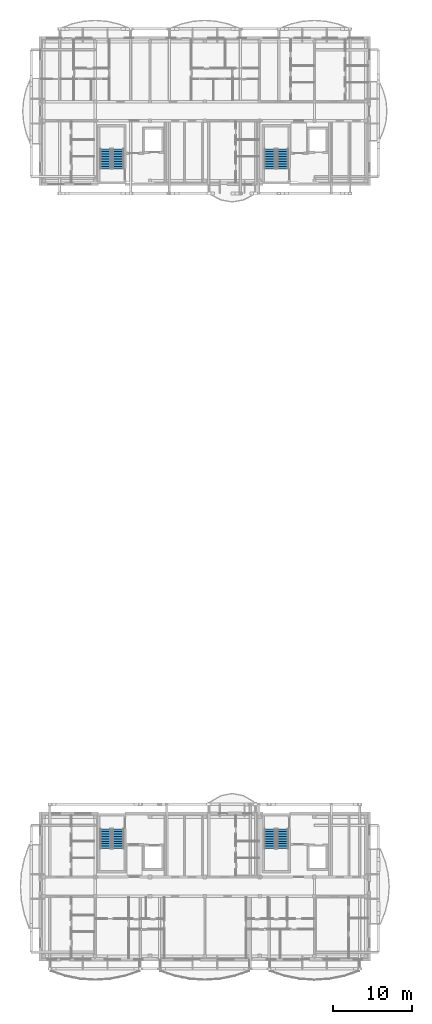
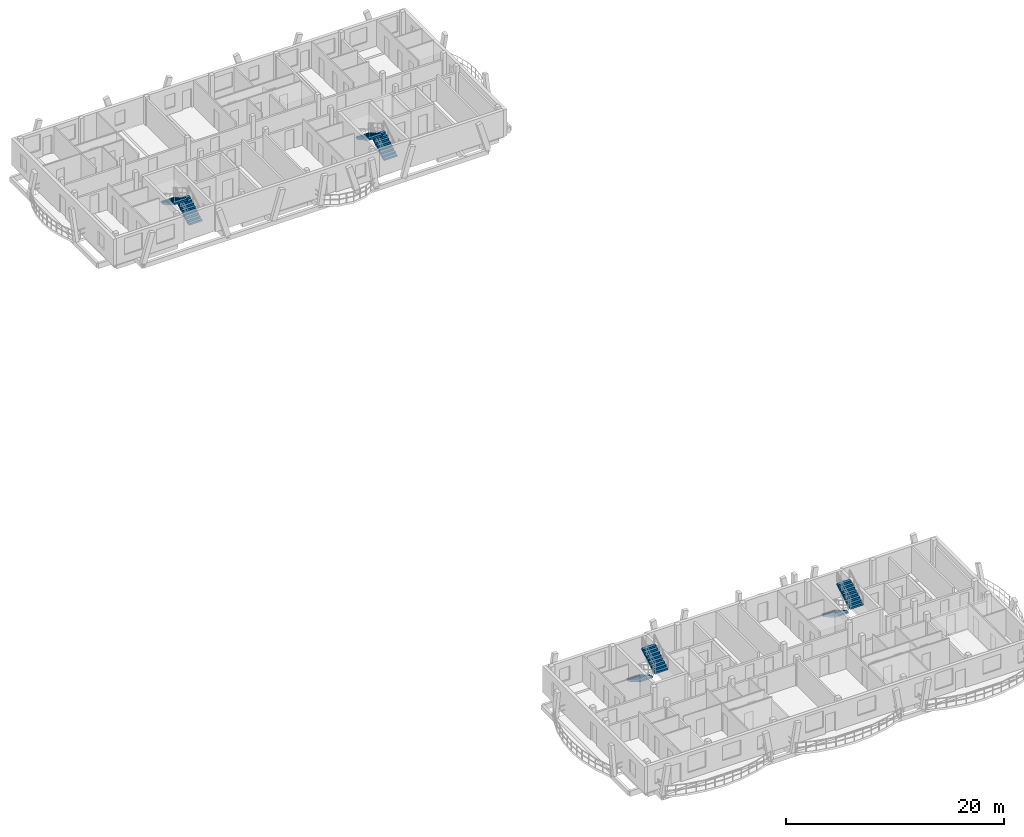
# One storey, part 22 of 29: 8 stair flights, 4 elements without a shape of their own.
"""IFC4 building model written with IfcOpenShell, lengths in metres."""

from ifc_helpers import new_model, si_unit, direction, frame, origin, place, context, subcontext, project, spatial, polyline, outline, extrude, material, type_object, element, aggregate, save


model = new_model("IFC4")

# Units and contexts
model_context = context("Model", 3, precision=1e-05, world=origin(), true_north=direction((0.0, 1.0)))
body_context = subcontext(model_context, "Body", "Model", "MODEL_VIEW")
ifc_project = project(units=[si_unit("LENGTHUNIT", "METRE"), si_unit("AREAUNIT", "SQUARE_METRE"), si_unit("VOLUMEUNIT", "CUBIC_METRE"), si_unit("PLANEANGLEUNIT", "RADIAN"), si_unit("MASSUNIT", "GRAM", prefix="KILO")], contexts=[model_context])

# Site, building, storey
site_placement = place(None, origin())
site = spatial("IfcSite", under=ifc_project, at=site_placement, CompositionType="ELEMENT")
building_placement = place(site_placement, origin())
building = spatial("IfcBuilding", under=site, at=building_placement, Name="Zavelmont Quarter", CompositionType="ELEMENT")
storey_placement = place(building_placement, frame((0.0, 0.0, 33.60009765625)))
storey = spatial("IfcBuildingStorey", under=building, at=storey_placement, Name="L10", CompositionType="ELEMENT", Elevation=33.60009765625)

# Stair, stair flights
ifc_material = material(Name="Concrete C35/45", Category="concrete")
stair_type = type_object("IfcStairType", Name="STR-1400-1778", PredefinedType="HALF_TURN_STAIR", material=ifc_material)
stair_1_placement = place(storey_placement, origin())
stair_1 = element("IfcStair", 1, at=stair_1_placement, inside=storey, type_object=stair_type, Name="L10 protected stair ST01", PredefinedType="HALF_TURN_STAIR")
stair_flight_type = type_object("IfcStairFlightType", Name="STF-1400-1778", PredefinedType="STRAIGHT", material=ifc_material)
stair_flight_1_placement = place(storey_placement, frame((8.199951171875, 16.449951171875, 0.0), z_axis=(0.0, 0.0, 1.0), x_axis=(0.0, -1.0, 0.0)))
stair_flight_1 = element("IfcStairFlight", 2, at=stair_flight_1_placement, type_object=stair_flight_type, Name="ST01 flight 1", NumberOfRisers=9, NumberOfTreads=8, PredefinedType="STRAIGHT", RiserHeight=0.177777778, TreadLength=0.31, context=body_context, shape_type="SweptSolid", body=[
    extrude(outline(polyline([(0.0, 0.0), (0.0, 0.177734375), (0.31005859375, 0.177734375), (0.31005859375, 0.35546875), (0.6201171875, 0.35546875), (0.6201171875, 0.533447265625), (0.929931640625, 0.533447265625), (0.929931640625, 0.711181640625), (1.239990234375, 0.711181640625), (1.239990234375, 0.888916015625), (1.550048828125, 0.888916015625), (1.550048828125, 1.066650390625), (1.860107421875, 1.066650390625), (1.860107421875, 1.244384765625), (2.169921875, 1.244384765625), (2.169921875, 1.422119140625), (2.47998046875, 1.422119140625), (2.47998046875, 1.60009765625), (2.47998046875, 1.23779296875), (0.321533203125, 0.0), (0.0, 0.0)])), frame((0.0, 0.699951171875, 0.0), z_axis=(0.0, -1.0, 0.0), x_axis=(1.0, 0.0, 0.0)), (0.0, 0.0, 1.0), 1.39990234375),
])
stair_flight_2_placement = place(storey_placement, frame((9.800048828125, 13.969970703125, 1.599853515625), z_axis=(0.0, 0.0, 1.0), x_axis=(0.0, 1.0, 0.0)))
stair_flight_2 = element("IfcStairFlight", 3, at=stair_flight_2_placement, type_object=stair_flight_type, Name="ST01 flight 2", NumberOfRisers=9, NumberOfTreads=8, PredefinedType="STRAIGHT", RiserHeight=0.177777778, TreadLength=0.31, context=body_context, shape_type="SweptSolid", body=[
    extrude(outline(polyline([(0.0, 0.0), (0.0, 0.177734375), (0.31005859375, 0.177734375), (0.31005859375, 0.35546875), (0.6201171875, 0.35546875), (0.6201171875, 0.533447265625), (0.929931640625, 0.533447265625), (0.929931640625, 0.711181640625), (1.239990234375, 0.711181640625), (1.239990234375, 0.888916015625), (1.550048828125, 0.888916015625), (1.550048828125, 1.066650390625), (1.860107421875, 1.066650390625), (1.860107421875, 1.244384765625), (2.169921875, 1.244384765625), (2.169921875, 1.422119140625), (2.47998046875, 1.422119140625), (2.47998046875, 1.60009765625), (2.47998046875, 1.23779296875), (0.321533203125, 0.0), (0.0, 0.0)])), frame((0.0, 0.699951171875, 0.0), z_axis=(0.0, -1.0, 0.0), x_axis=(1.0, 0.0, 0.0)), (0.0, 0.0, 1.0), 1.39990234375),
])
aggregate(stair_1, [stair_flight_1, stair_flight_2])

stair_2_placement = place(storey_placement, origin())
stair_2 = element("IfcStair", 4, at=stair_2_placement, inside=storey, type_object=stair_type, Name="L10 protected stair ST02", PredefinedType="HALF_TURN_STAIR")
stair_flight_3_placement = place(storey_placement, frame((28.89990234375, 16.449951171875, 0.0), z_axis=(0.0, 0.0, 1.0), x_axis=(0.0, -1.0, 0.0)))
stair_flight_3 = element("IfcStairFlight", 5, at=stair_flight_3_placement, type_object=stair_flight_type, Name="ST02 flight 1", NumberOfRisers=9, NumberOfTreads=8, PredefinedType="STRAIGHT", RiserHeight=0.177777778, TreadLength=0.31, context=body_context, shape_type="SweptSolid", body=[
    extrude(outline(polyline([(0.0, 0.0), (0.0, 0.177734375), (0.31005859375, 0.177734375), (0.31005859375, 0.35546875), (0.6201171875, 0.35546875), (0.6201171875, 0.533447265625), (0.929931640625, 0.533447265625), (0.929931640625, 0.711181640625), (1.239990234375, 0.711181640625), (1.239990234375, 0.888916015625), (1.550048828125, 0.888916015625), (1.550048828125, 1.066650390625), (1.860107421875, 1.066650390625), (1.860107421875, 1.244384765625), (2.169921875, 1.244384765625), (2.169921875, 1.422119140625), (2.47998046875, 1.422119140625), (2.47998046875, 1.60009765625), (2.47998046875, 1.23779296875), (0.321533203125, 0.0), (0.0, 0.0)])), frame((0.0, 0.699951171875, 0.0), z_axis=(0.0, -1.0, 0.0), x_axis=(1.0, 0.0, 0.0)), (0.0, 0.0, 1.0), 1.39990234375),
])
stair_flight_4_placement = place(storey_placement, frame((30.5, 13.969970703125, 1.599853515625), z_axis=(0.0, 0.0, 1.0), x_axis=(0.0, 1.0, 0.0)))
stair_flight_4 = element("IfcStairFlight", 6, at=stair_flight_4_placement, type_object=stair_flight_type, Name="ST02 flight 2", NumberOfRisers=9, NumberOfTreads=8, PredefinedType="STRAIGHT", RiserHeight=0.177777778, TreadLength=0.31, context=body_context, shape_type="SweptSolid", body=[
    extrude(outline(polyline([(0.0, 0.0), (0.0, 0.177734375), (0.31005859375, 0.177734375), (0.31005859375, 0.35546875), (0.6201171875, 0.35546875), (0.6201171875, 0.533447265625), (0.929931640625, 0.533447265625), (0.929931640625, 0.711181640625), (1.239990234375, 0.711181640625), (1.239990234375, 0.888916015625), (1.550048828125, 0.888916015625), (1.550048828125, 1.066650390625), (1.860107421875, 1.066650390625), (1.860107421875, 1.244384765625), (2.169921875, 1.244384765625), (2.169921875, 1.422119140625), (2.47998046875, 1.422119140625), (2.47998046875, 1.60009765625), (2.47998046875, 1.23779296875), (0.321533203125, 0.0), (0.0, 0.0)])), frame((0.0, 0.699951171875, 0.0), z_axis=(0.0, -1.0, 0.0), x_axis=(1.0, 0.0, 0.0)), (0.0, 0.0, 1.0), 1.39990234375),
])
aggregate(stair_2, [stair_flight_3, stair_flight_4])

stair_3_placement = place(storey_placement, origin())
stair_3 = element("IfcStair", 7, at=stair_3_placement, inside=storey, type_object=stair_type, Name="L10 protected stair ST03", PredefinedType="HALF_TURN_STAIR")
stair_flight_5_placement = place(storey_placement, frame((9.800048828125, 99.550048828125, 0.0), z_axis=(0.0, 0.0, 1.0), x_axis=(0.0, 1.0, 0.0)))
stair_flight_5 = element("IfcStairFlight", 8, at=stair_flight_5_placement, type_object=stair_flight_type, Name="ST03 flight 1", NumberOfRisers=9, NumberOfTreads=8, PredefinedType="STRAIGHT", RiserHeight=0.177777778, TreadLength=0.31, context=body_context, shape_type="SweptSolid", body=[
    extrude(outline(polyline([(0.0, 0.0), (0.0, 0.177734375), (0.31005859375, 0.177734375), (0.31005859375, 0.35546875), (0.6201171875, 0.35546875), (0.6201171875, 0.533447265625), (0.929931640625, 0.533447265625), (0.929931640625, 0.711181640625), (1.239990234375, 0.711181640625), (1.239990234375, 0.888916015625), (1.550048828125, 0.888916015625), (1.550048828125, 1.066650390625), (1.860107421875, 1.066650390625), (1.860107421875, 1.244384765625), (2.169921875, 1.244384765625), (2.169921875, 1.422119140625), (2.47998046875, 1.422119140625), (2.47998046875, 1.60009765625), (2.47998046875, 1.23779296875), (0.321533203125, 0.0), (0.0, 0.0)])), frame((0.0, 0.699951171875, 0.0), z_axis=(0.0, -1.0, 0.0), x_axis=(1.0, 0.0, 0.0)), (0.0, 0.0, 1.0), 1.39990234375),
])
stair_flight_6_placement = place(storey_placement, frame((8.199951171875, 102.030029296875, 1.599853515625), z_axis=(0.0, 0.0, 1.0), x_axis=(0.0, -1.0, 0.0)))
stair_flight_6 = element("IfcStairFlight", 9, at=stair_flight_6_placement, type_object=stair_flight_type, Name="ST03 flight 2", NumberOfRisers=9, NumberOfTreads=8, PredefinedType="STRAIGHT", RiserHeight=0.177777778, TreadLength=0.31, context=body_context, shape_type="SweptSolid", body=[
    extrude(outline(polyline([(0.0, 0.0), (0.0, 0.177734375), (0.31005859375, 0.177734375), (0.31005859375, 0.35546875), (0.6201171875, 0.35546875), (0.6201171875, 0.533447265625), (0.929931640625, 0.533447265625), (0.929931640625, 0.711181640625), (1.239990234375, 0.711181640625), (1.239990234375, 0.888916015625), (1.550048828125, 0.888916015625), (1.550048828125, 1.066650390625), (1.860107421875, 1.066650390625), (1.860107421875, 1.244384765625), (2.169921875, 1.244384765625), (2.169921875, 1.422119140625), (2.47998046875, 1.422119140625), (2.47998046875, 1.60009765625), (2.47998046875, 1.23779296875), (0.321533203125, 0.0), (0.0, 0.0)])), frame((0.0, 0.699951171875, 0.0), z_axis=(0.0, -1.0, 0.0), x_axis=(1.0, 0.0, 0.0)), (0.0, 0.0, 1.0), 1.39990234375),
])
aggregate(stair_3, [stair_flight_5, stair_flight_6])

stair_4_placement = place(storey_placement, origin())
stair_4 = element("IfcStair", 10, at=stair_4_placement, inside=storey, type_object=stair_type, Name="L10 protected stair ST04", PredefinedType="HALF_TURN_STAIR")
stair_flight_7_placement = place(storey_placement, frame((30.5, 99.550048828125, 0.0), z_axis=(0.0, 0.0, 1.0), x_axis=(0.0, 1.0, 0.0)))
stair_flight_7 = element("IfcStairFlight", 11, at=stair_flight_7_placement, type_object=stair_flight_type, Name="ST04 flight 1", NumberOfRisers=9, NumberOfTreads=8, PredefinedType="STRAIGHT", RiserHeight=0.177777778, TreadLength=0.31, context=body_context, shape_type="SweptSolid", body=[
    extrude(outline(polyline([(0.0, 0.0), (0.0, 0.177734375), (0.31005859375, 0.177734375), (0.31005859375, 0.35546875), (0.6201171875, 0.35546875), (0.6201171875, 0.533447265625), (0.929931640625, 0.533447265625), (0.929931640625, 0.711181640625), (1.239990234375, 0.711181640625), (1.239990234375, 0.888916015625), (1.550048828125, 0.888916015625), (1.550048828125, 1.066650390625), (1.860107421875, 1.066650390625), (1.860107421875, 1.244384765625), (2.169921875, 1.244384765625), (2.169921875, 1.422119140625), (2.47998046875, 1.422119140625), (2.47998046875, 1.60009765625), (2.47998046875, 1.23779296875), (0.321533203125, 0.0), (0.0, 0.0)])), frame((0.0, 0.699951171875, 0.0), z_axis=(0.0, -1.0, 0.0), x_axis=(1.0, 0.0, 0.0)), (0.0, 0.0, 1.0), 1.39990234375),
])
stair_flight_8_placement = place(storey_placement, frame((28.89990234375, 102.030029296875, 1.599853515625), z_axis=(0.0, 0.0, 1.0), x_axis=(0.0, -1.0, 0.0)))
stair_flight_8 = element("IfcStairFlight", 12, at=stair_flight_8_placement, type_object=stair_flight_type, Name="ST04 flight 2", NumberOfRisers=9, NumberOfTreads=8, PredefinedType="STRAIGHT", RiserHeight=0.177777778, TreadLength=0.31, context=body_context, shape_type="SweptSolid", body=[
    extrude(outline(polyline([(0.0, 0.0), (0.0, 0.177734375), (0.31005859375, 0.177734375), (0.31005859375, 0.35546875), (0.6201171875, 0.35546875), (0.6201171875, 0.533447265625), (0.929931640625, 0.533447265625), (0.929931640625, 0.711181640625), (1.239990234375, 0.711181640625), (1.239990234375, 0.888916015625), (1.550048828125, 0.888916015625), (1.550048828125, 1.066650390625), (1.860107421875, 1.066650390625), (1.860107421875, 1.244384765625), (2.169921875, 1.244384765625), (2.169921875, 1.422119140625), (2.47998046875, 1.422119140625), (2.47998046875, 1.60009765625), (2.47998046875, 1.23779296875), (0.321533203125, 0.0), (0.0, 0.0)])), frame((0.0, 0.699951171875, 0.0), z_axis=(0.0, -1.0, 0.0), x_axis=(1.0, 0.0, 0.0)), (0.0, 0.0, 1.0), 1.39990234375),
])
aggregate(stair_4, [stair_flight_7, stair_flight_8])

save(model, "model.ifc")
